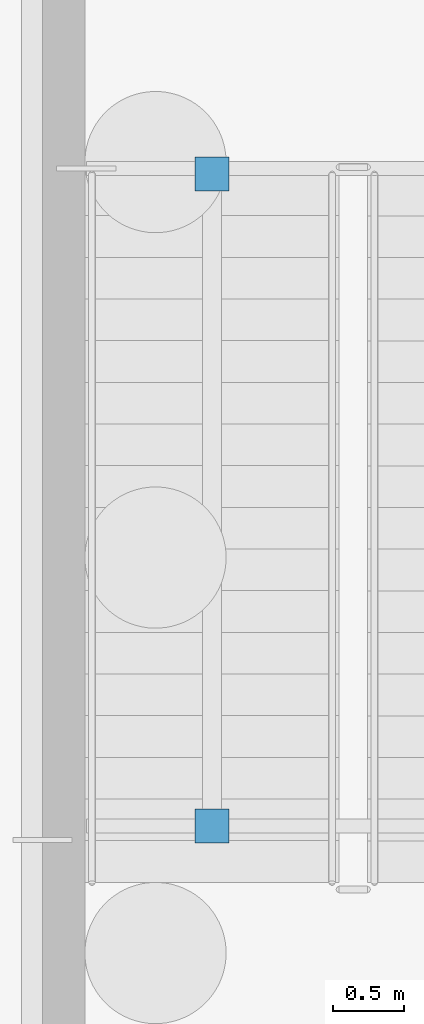
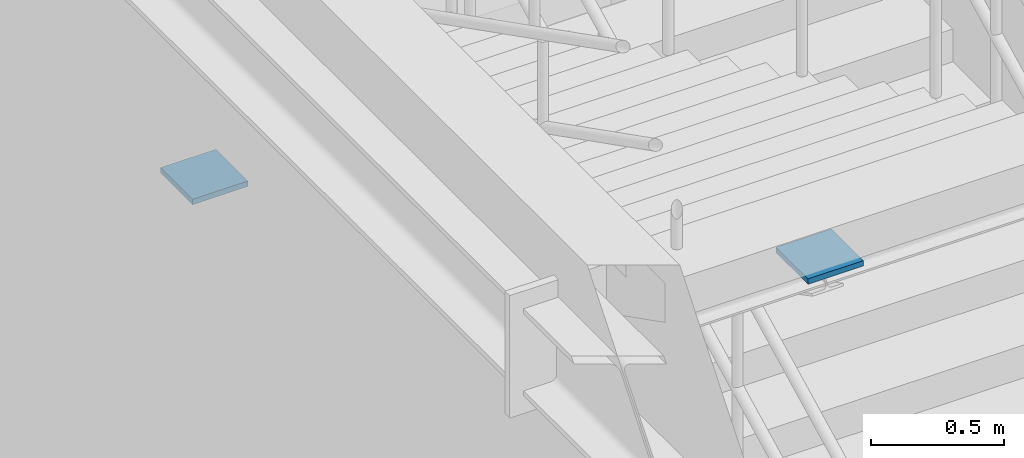
# One storey, part 61 of 71: 2 discrete accessories.
"""IFC4 building model written with IfcOpenShell, lengths in metres."""

from ifc_helpers import new_model, si_unit, direction, frame, origin, origin_2d, place, context, subcontext, project, spatial, rectangle, extrude, material, type_object, element, save


model = new_model("IFC4")

# Units and contexts
model_context = context("Model", 3, precision=1e-05, world=origin(), true_north=direction((0.0, 1.0)))
body_context = subcontext(model_context, "Body", "Model", "MODEL_VIEW")
ifc_project = project(units=[si_unit("LENGTHUNIT", "METRE"), si_unit("AREAUNIT", "SQUARE_METRE"), si_unit("VOLUMEUNIT", "CUBIC_METRE"), si_unit("PLANEANGLEUNIT", "RADIAN"), si_unit("MASSUNIT", "GRAM", prefix="KILO")], contexts=[model_context])

# Site, building, storey
site_placement = place(None, origin())
site = spatial("IfcSite", under=ifc_project, at=site_placement, CompositionType="ELEMENT")
building_placement = place(site_placement, origin())
building = spatial("IfcBuilding", under=site, at=building_placement, Name="Sundkrona Museum", CompositionType="ELEMENT")
storey_placement = place(building_placement, frame((0.0, 0.0, -5.39990234375)))
storey = spatial("IfcBuildingStorey", under=building, at=storey_placement, Name="B1", CompositionType="ELEMENT", Elevation=-5.39990234375)

# Discrete accessories
ifc_material = material(Name="Stainless Steel EN 1.4404 Cleat", Category="steel")
discrete_accessory_type = type_object("IfcDiscreteAccessoryType", Name="BRK-FIN-01", PredefinedType="BRACKET", material=ifc_material)
for number, where, z_axis, x_axis, name in (
    (1, (121.199951171875, 12.715087890625, 2.367431640625), (0.0, 0.0, 1.0), (1.0, 0.0, 0.0), "Brace and Strut End Connection Plate RK-ST-ST-2-B1-2-1"),
    (2, (121.199951171875, 8.10009765625, 4.8017578125), (0.0, 0.0, 1.0), (1.0, 0.0, 0.0), "Brace and Strut End Connection Plate RK-ST-ST-2-B1-2-2"),
):
    element("IfcDiscreteAccessory", number, at=place(storey_placement, frame(where, z_axis=z_axis, x_axis=x_axis)), inside=storey, type_object=discrete_accessory_type, Name=name, PredefinedType="BRACKET", context=body_context, shape_type="SweptSolid", body=[
        extrude(rectangle(XDim=0.239990234375, YDim=0.239990234375, at=origin_2d()), origin(), (0.0, 0.0, 1.0), 0.02490234375),
    ])

save(model, "model.ifc")
